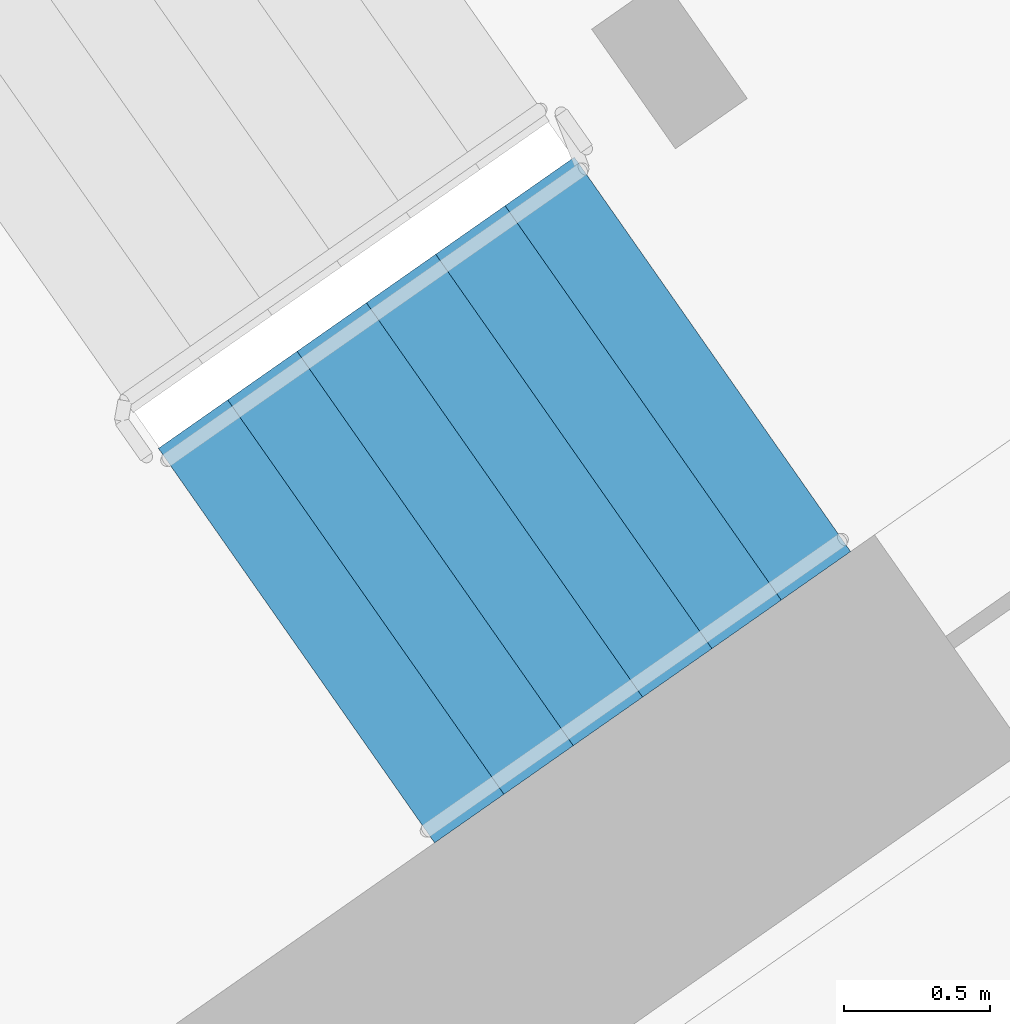
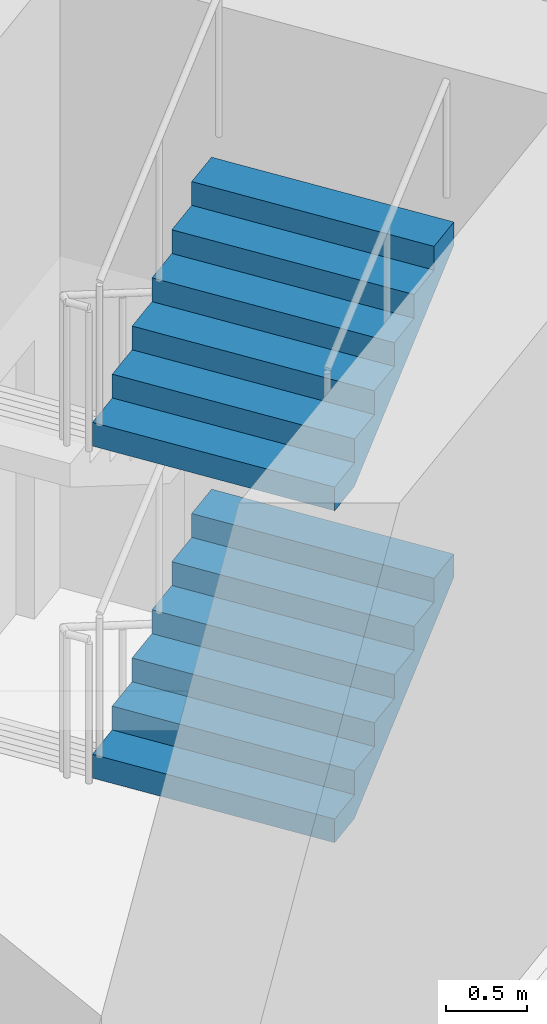
# One storey, part 19 of 25: 2 stair flights, 1 element without a shape of its own.
"""IFC4 building model written with IfcOpenShell, lengths in metres."""

from ifc_helpers import new_model, si_unit, direction, frame, origin, place, context, subcontext, project, spatial, faceted_brep, material, type_object, element, aggregate, save


model = new_model("IFC4")

# Units and contexts
model_context = context("Model", 3, precision=1e-05, world=origin(), true_north=direction((0.0, 1.0)))
body_context = subcontext(model_context, "Body", "Model", "MODEL_VIEW")
ifc_project = project(units=[si_unit("LENGTHUNIT", "METRE"), si_unit("AREAUNIT", "SQUARE_METRE"), si_unit("VOLUMEUNIT", "CUBIC_METRE"), si_unit("PLANEANGLEUNIT", "RADIAN"), si_unit("MASSUNIT", "GRAM", prefix="KILO")], contexts=[model_context])

# Site, building, storey
site_placement = place(None, origin())
site = spatial("IfcSite", under=ifc_project, at=site_placement, CompositionType="ELEMENT")
building_placement = place(site_placement, origin())
building = spatial("IfcBuilding", under=site, at=building_placement, Name="Qamariyya Broadcast Tower", CompositionType="ELEMENT")
storey_placement = place(building_placement, frame((0.0, 0.0, 144.300048828125)))
storey = spatial("IfcBuildingStorey", under=building, at=storey_placement, Name="L33", CompositionType="ELEMENT", Elevation=144.300048828125)

# Stair, stair flights
ifc_material = material(Name="Concrete C50/60", Category="concrete")
stair_type = type_object("IfcStairType", Name="Exit stair 28 risers of 179 mm", PredefinedType="HALF_TURN_STAIR", material=ifc_material)
stair_placement = place(storey_placement, origin())
stair = element("IfcStair", 1, at=stair_placement, inside=storey, type_object=stair_type, Name="L33 Stair E1", PredefinedType="HALF_TURN_STAIR")
stair_flight_type = type_object("IfcStairFlightType", Name="Exit stair flight 7 risers of 179 mm", PredefinedType="STRAIGHT", material=ifc_material)
stair_flight_1_placement = place(storey_placement, frame((45.6435546875, -57.980712890625, 1.25), z_axis=(0.0, 0.0, 1.0), x_axis=(0.819152044289, 0.573576436351, 0.0)))
stair_flight_1 = element("IfcStairFlight", 2, at=stair_flight_1_placement, type_object=stair_flight_type, Name="ST-E1 flight 2", NumberOfRisers=7, NumberOfTreads=6, PredefinedType="STRAIGHT", RiserHeight=0.178571429, TreadLength=0.29, context=body_context, shape_type="Brep", body=[
    faceted_brep([(0.0, 0.824951171875, 0.0), (0.0, 0.824951171875, 0.178466796875), (0.2900390625, 0.824951171875, 0.178466796875), (0.2900390625, 0.824951171875, 0.357177734375), (0.580078125, 0.824951171875, 0.357177734375), (0.580078125, 0.824951171875, 0.53564453125), (0.8701171875, 0.824951171875, 0.53564453125), (0.8701171875, 0.824951171875, 0.71435546875), (1.159912109375, 0.824951171875, 0.71435546875), (1.159912109375, 0.824951171875, 0.892822265625), (1.449951171875, 0.824951171875, 0.892822265625), (1.449951171875, 0.824951171875, 1.071533203125), (1.739990234375, 0.824951171875, 1.071533203125), (1.739990234375, 0.824951171875, 0.8955078125), (0.285888671875, 0.824951171875, 0.0), (0.285888671875, -0.824951171875, 0.0), (1.739990234375, -0.824951171875, 0.8955078125), (1.739990234375, -0.824951171875, 1.071533203125), (1.449951171875, -0.824951171875, 1.071533203125), (1.449951171875, -0.824951171875, 0.892822265625), (1.159912109375, -0.824951171875, 0.892822265625), (1.159912109375, -0.824951171875, 0.71435546875), (0.8701171875, -0.824951171875, 0.71435546875), (0.8701171875, -0.824951171875, 0.53564453125), (0.580078125, -0.824951171875, 0.53564453125), (0.580078125, -0.824951171875, 0.357177734375), (0.2900390625, -0.824951171875, 0.357177734375), (0.2900390625, -0.824951171875, 0.178466796875), (0.0, -0.824951171875, 0.178466796875), (0.0, -0.824951171875, 0.0), (0.0, 0.10009765625, 0.0), (0.0, 0.086669921875, 0.0), (0.0, 0.0732421875, 0.0), (0.0, 0.06005859375, 0.0), (0.0, 0.046630859375, 0.0), (0.0, 0.033447265625, 0.0), (0.0, 0.02001953125, 0.0), (0.0, 0.006591796875, 0.0), (0.0, -0.006591796875, 0.0), (0.0, -0.02001953125, 0.0), (0.0, -0.033447265625, 0.0), (0.0, -0.046630859375, 0.0), (0.0, -0.06005859375, 0.0), (0.0, -0.0732421875, 0.0), (0.0, -0.086669921875, 0.0), (0.0, -0.10009765625, 0.0), (0.0, -0.10009765625, 0.178466796875), (0.0, -0.086669921875, 0.178466796875), (0.0, -0.0732421875, 0.178466796875), (0.0, -0.06005859375, 0.178466796875), (0.0, -0.046630859375, 0.178466796875), (0.0, -0.033447265625, 0.178466796875), (0.0, -0.02001953125, 0.178466796875), (0.0, -0.006591796875, 0.178466796875), (0.0, 0.006591796875, 0.178466796875), (0.0, 0.02001953125, 0.178466796875), (0.0, 0.033447265625, 0.178466796875), (0.0, 0.046630859375, 0.178466796875), (0.0, 0.06005859375, 0.178466796875), (0.0, 0.0732421875, 0.178466796875), (0.0, 0.086669921875, 0.178466796875), (0.0, 0.10009765625, 0.178466796875), (0.2900390625, -0.10009765625, 0.178466796875), (0.2900390625, -0.086669921875, 0.178466796875), (0.2900390625, -0.0732421875, 0.178466796875), (0.2900390625, -0.06005859375, 0.178466796875), (0.2900390625, -0.046630859375, 0.178466796875), (0.2900390625, -0.033447265625, 0.178466796875), (0.2900390625, -0.02001953125, 0.178466796875), (0.2900390625, -0.006591796875, 0.178466796875), (0.2900390625, 0.006591796875, 0.178466796875), (0.2900390625, 0.02001953125, 0.178466796875), (0.2900390625, 0.033447265625, 0.178466796875), (0.2900390625, 0.046630859375, 0.178466796875), (0.2900390625, 0.06005859375, 0.178466796875), (0.2900390625, 0.0732421875, 0.178466796875), (0.2900390625, 0.086669921875, 0.178466796875), (0.2900390625, 0.10009765625, 0.178466796875), (0.2900390625, -0.10009765625, 0.357177734375), (0.2900390625, -0.086669921875, 0.357177734375), (0.2900390625, -0.0732421875, 0.357177734375), (0.2900390625, -0.06005859375, 0.357177734375), (0.2900390625, -0.046630859375, 0.357177734375), (0.2900390625, -0.033447265625, 0.357177734375), (0.2900390625, -0.02001953125, 0.357177734375), (0.2900390625, -0.006591796875, 0.357177734375), (0.2900390625, 0.006591796875, 0.357177734375), (0.2900390625, 0.02001953125, 0.357177734375), (0.2900390625, 0.033447265625, 0.357177734375), (0.2900390625, 0.046630859375, 0.357177734375), (0.2900390625, 0.06005859375, 0.357177734375), (0.2900390625, 0.0732421875, 0.357177734375), (0.2900390625, 0.086669921875, 0.357177734375), (0.2900390625, 0.10009765625, 0.357177734375), (0.580078125, -0.10009765625, 0.357177734375), (0.580078125, -0.086669921875, 0.357177734375), (0.580078125, -0.0732421875, 0.357177734375), (0.580078125, -0.06005859375, 0.357177734375), (0.580078125, -0.046630859375, 0.357177734375), (0.580078125, -0.033447265625, 0.357177734375), (0.580078125, -0.02001953125, 0.357177734375), (0.580078125, -0.006591796875, 0.357177734375), (0.580078125, 0.006591796875, 0.357177734375), (0.580078125, 0.02001953125, 0.357177734375), (0.580078125, 0.033447265625, 0.357177734375), (0.580078125, 0.046630859375, 0.357177734375), (0.580078125, 0.06005859375, 0.357177734375), (0.580078125, 0.0732421875, 0.357177734375), (0.580078125, 0.086669921875, 0.357177734375), (0.580078125, 0.10009765625, 0.357177734375), (0.580078125, -0.10009765625, 0.53564453125), (0.580078125, -0.086669921875, 0.53564453125), (0.580078125, -0.0732421875, 0.53564453125), (0.580078125, -0.06005859375, 0.53564453125), (0.580078125, -0.046630859375, 0.53564453125), (0.580078125, -0.033447265625, 0.53564453125), (0.580078125, -0.02001953125, 0.53564453125), (0.580078125, -0.006591796875, 0.53564453125), (0.580078125, 0.006591796875, 0.53564453125), (0.580078125, 0.02001953125, 0.53564453125), (0.580078125, 0.033447265625, 0.53564453125), (0.580078125, 0.046630859375, 0.53564453125), (0.580078125, 0.06005859375, 0.53564453125), (0.580078125, 0.0732421875, 0.53564453125), (0.580078125, 0.086669921875, 0.53564453125), (0.580078125, 0.10009765625, 0.53564453125), (0.8701171875, -0.10009765625, 0.53564453125), (0.8701171875, -0.086669921875, 0.53564453125), (0.8701171875, -0.0732421875, 0.53564453125), (0.8701171875, -0.06005859375, 0.53564453125), (0.8701171875, -0.046630859375, 0.53564453125), (0.8701171875, -0.033447265625, 0.53564453125), (0.8701171875, -0.02001953125, 0.53564453125), (0.8701171875, -0.006591796875, 0.53564453125), (0.8701171875, 0.006591796875, 0.53564453125), (0.8701171875, 0.02001953125, 0.53564453125), (0.8701171875, 0.033447265625, 0.53564453125), (0.8701171875, 0.046630859375, 0.53564453125), (0.8701171875, 0.06005859375, 0.53564453125), (0.8701171875, 0.0732421875, 0.53564453125), (0.8701171875, 0.086669921875, 0.53564453125), (0.8701171875, 0.10009765625, 0.53564453125), (0.8701171875, -0.10009765625, 0.71435546875), (0.8701171875, -0.086669921875, 0.71435546875), (0.8701171875, -0.0732421875, 0.71435546875), (0.8701171875, -0.06005859375, 0.71435546875), (0.8701171875, -0.046630859375, 0.71435546875), (0.8701171875, -0.033447265625, 0.71435546875), (0.8701171875, -0.02001953125, 0.71435546875), (0.8701171875, -0.006591796875, 0.71435546875), (0.8701171875, 0.006591796875, 0.71435546875), (0.8701171875, 0.02001953125, 0.71435546875), (0.8701171875, 0.033447265625, 0.71435546875), (0.8701171875, 0.046630859375, 0.71435546875), (0.8701171875, 0.06005859375, 0.71435546875), (0.8701171875, 0.0732421875, 0.71435546875), (0.8701171875, 0.086669921875, 0.71435546875), (0.8701171875, 0.10009765625, 0.71435546875), (1.159912109375, -0.10009765625, 0.71435546875), (1.159912109375, -0.086669921875, 0.71435546875), (1.159912109375, -0.0732421875, 0.71435546875), (1.159912109375, -0.06005859375, 0.71435546875), (1.159912109375, -0.046630859375, 0.71435546875), (1.159912109375, -0.033447265625, 0.71435546875), (1.159912109375, -0.02001953125, 0.71435546875), (1.159912109375, -0.006591796875, 0.71435546875), (1.159912109375, 0.006591796875, 0.71435546875), (1.159912109375, 0.02001953125, 0.71435546875), (1.159912109375, 0.033447265625, 0.71435546875), (1.159912109375, 0.046630859375, 0.71435546875), (1.159912109375, 0.06005859375, 0.71435546875), (1.159912109375, 0.0732421875, 0.71435546875), (1.159912109375, 0.086669921875, 0.71435546875), (1.159912109375, 0.10009765625, 0.71435546875), (1.159912109375, -0.10009765625, 0.892822265625), (1.159912109375, -0.086669921875, 0.892822265625), (1.159912109375, -0.0732421875, 0.892822265625), (1.159912109375, -0.06005859375, 0.892822265625), (1.159912109375, -0.046630859375, 0.892822265625), (1.159912109375, -0.033447265625, 0.892822265625), (1.159912109375, -0.02001953125, 0.892822265625), (1.159912109375, -0.006591796875, 0.892822265625), (1.159912109375, 0.006591796875, 0.892822265625), (1.159912109375, 0.02001953125, 0.892822265625), (1.159912109375, 0.033447265625, 0.892822265625), (1.159912109375, 0.046630859375, 0.892822265625), (1.159912109375, 0.06005859375, 0.892822265625), (1.159912109375, 0.0732421875, 0.892822265625), (1.159912109375, 0.086669921875, 0.892822265625), (1.159912109375, 0.10009765625, 0.892822265625), (1.449951171875, -0.10009765625, 0.892822265625), (1.449951171875, -0.086669921875, 0.892822265625), (1.449951171875, -0.0732421875, 0.892822265625), (1.449951171875, -0.06005859375, 0.892822265625), (1.449951171875, -0.046630859375, 0.892822265625), (1.449951171875, -0.033447265625, 0.892822265625), (1.449951171875, -0.02001953125, 0.892822265625), (1.449951171875, -0.006591796875, 0.892822265625), (1.449951171875, 0.006591796875, 0.892822265625), (1.449951171875, 0.02001953125, 0.892822265625), (1.449951171875, 0.033447265625, 0.892822265625), (1.449951171875, 0.046630859375, 0.892822265625), (1.449951171875, 0.06005859375, 0.892822265625), (1.449951171875, 0.0732421875, 0.892822265625), (1.449951171875, 0.086669921875, 0.892822265625), (1.449951171875, 0.10009765625, 0.892822265625), (1.449951171875, -0.10009765625, 1.071533203125), (1.449951171875, -0.086669921875, 1.071533203125), (1.449951171875, -0.0732421875, 1.071533203125), (1.449951171875, -0.06005859375, 1.071533203125), (1.449951171875, -0.046630859375, 1.071533203125), (1.449951171875, -0.033447265625, 1.071533203125), (1.449951171875, -0.02001953125, 1.071533203125), (1.449951171875, -0.006591796875, 1.071533203125), (1.449951171875, 0.006591796875, 1.071533203125), (1.449951171875, 0.02001953125, 1.071533203125), (1.449951171875, 0.033447265625, 1.071533203125), (1.449951171875, 0.046630859375, 1.071533203125), (1.449951171875, 0.06005859375, 1.071533203125), (1.449951171875, 0.0732421875, 1.071533203125), (1.449951171875, 0.086669921875, 1.071533203125), (1.449951171875, 0.10009765625, 1.071533203125), (1.739990234375, -0.10009765625, 1.071533203125), (1.739990234375, -0.086669921875, 1.071533203125), (1.739990234375, -0.0732421875, 1.071533203125), (1.739990234375, -0.06005859375, 1.071533203125), (1.739990234375, -0.046630859375, 1.071533203125), (1.739990234375, -0.033447265625, 1.071533203125), (1.739990234375, -0.02001953125, 1.071533203125), (1.739990234375, -0.006591796875, 1.071533203125), (1.739990234375, 0.006591796875, 1.071533203125), (1.739990234375, 0.02001953125, 1.071533203125), (1.739990234375, 0.033447265625, 1.071533203125), (1.739990234375, 0.046630859375, 1.071533203125), (1.739990234375, 0.06005859375, 1.071533203125), (1.739990234375, 0.0732421875, 1.071533203125), (1.739990234375, 0.086669921875, 1.071533203125), (1.739990234375, 0.10009765625, 1.071533203125), (1.739990234375, -0.10009765625, 0.8955078125), (1.739990234375, -0.086669921875, 0.8955078125), (1.739990234375, -0.0732421875, 0.8955078125), (1.739990234375, -0.06005859375, 0.8955078125), (1.739990234375, -0.046630859375, 0.8955078125), (1.739990234375, -0.033447265625, 0.8955078125), (1.739990234375, -0.02001953125, 0.8955078125), (1.739990234375, -0.006591796875, 0.8955078125), (1.739990234375, 0.006591796875, 0.8955078125), (1.739990234375, 0.02001953125, 0.8955078125), (1.739990234375, 0.033447265625, 0.8955078125), (1.739990234375, 0.046630859375, 0.8955078125), (1.739990234375, 0.06005859375, 0.8955078125), (1.739990234375, 0.0732421875, 0.8955078125), (1.739990234375, 0.086669921875, 0.8955078125), (1.739990234375, 0.10009765625, 0.8955078125), (0.285888671875, -0.10009765625, 0.0), (0.285888671875, -0.086669921875, 0.0), (0.285888671875, -0.0732421875, 0.0), (0.285888671875, -0.06005859375, 0.0), (0.285888671875, -0.046630859375, 0.0), (0.285888671875, -0.033447265625, 0.0), (0.285888671875, -0.02001953125, 0.0), (0.285888671875, -0.006591796875, 0.0), (0.285888671875, 0.006591796875, 0.0), (0.285888671875, 0.02001953125, 0.0), (0.285888671875, 0.033447265625, 0.0), (0.285888671875, 0.046630859375, 0.0), (0.285888671875, 0.06005859375, 0.0), (0.285888671875, 0.0732421875, 0.0), (0.285888671875, 0.086669921875, 0.0), (0.285888671875, 0.10009765625, 0.0)], [[[0, 1, 2, 3, 4, 5, 6, 7, 8, 9, 10, 11, 12, 13, 14]], [[15, 16, 17, 18, 19, 20, 21, 22, 23, 24, 25, 26, 27, 28, 29]], [[0, 30, 31, 32, 33, 34, 35, 36, 37, 38, 39, 40, 41, 42, 43, 44, 45, 29, 28, 46, 47, 48, 49, 50, 51, 52, 53, 54, 55, 56, 57, 58, 59, 60, 61, 1]], [[1, 61, 60, 59, 58, 57, 56, 55, 54, 53, 52, 51, 50, 49, 48, 47, 46, 28, 27, 62, 63, 64, 65, 66, 67, 68, 69, 70, 71, 72, 73, 74, 75, 76, 77, 2]], [[2, 77, 76, 75, 74, 73, 72, 71, 70, 69, 68, 67, 66, 65, 64, 63, 62, 27, 26, 78, 79, 80, 81, 82, 83, 84, 85, 86, 87, 88, 89, 90, 91, 92, 93, 3]], [[3, 93, 92, 91, 90, 89, 88, 87, 86, 85, 84, 83, 82, 81, 80, 79, 78, 26, 25, 94, 95, 96, 97, 98, 99, 100, 101, 102, 103, 104, 105, 106, 107, 108, 109, 4]], [[4, 109, 108, 107, 106, 105, 104, 103, 102, 101, 100, 99, 98, 97, 96, 95, 94, 25, 24, 110, 111, 112, 113, 114, 115, 116, 117, 118, 119, 120, 121, 122, 123, 124, 125, 5]], [[5, 125, 124, 123, 122, 121, 120, 119, 118, 117, 116, 115, 114, 113, 112, 111, 110, 24, 23, 126, 127, 128, 129, 130, 131, 132, 133, 134, 135, 136, 137, 138, 139, 140, 141, 6]], [[6, 141, 140, 139, 138, 137, 136, 135, 134, 133, 132, 131, 130, 129, 128, 127, 126, 23, 22, 142, 143, 144, 145, 146, 147, 148, 149, 150, 151, 152, 153, 154, 155, 156, 157, 7]], [[7, 157, 156, 155, 154, 153, 152, 151, 150, 149, 148, 147, 146, 145, 144, 143, 142, 22, 21, 158, 159, 160, 161, 162, 163, 164, 165, 166, 167, 168, 169, 170, 171, 172, 173, 8]], [[8, 173, 172, 171, 170, 169, 168, 167, 166, 165, 164, 163, 162, 161, 160, 159, 158, 21, 20, 174, 175, 176, 177, 178, 179, 180, 181, 182, 183, 184, 185, 186, 187, 188, 189, 9]], [[9, 189, 188, 187, 186, 185, 184, 183, 182, 181, 180, 179, 178, 177, 176, 175, 174, 20, 19, 190, 191, 192, 193, 194, 195, 196, 197, 198, 199, 200, 201, 202, 203, 204, 205, 10]], [[10, 205, 204, 203, 202, 201, 200, 199, 198, 197, 196, 195, 194, 193, 192, 191, 190, 19, 18, 206, 207, 208, 209, 210, 211, 212, 213, 214, 215, 216, 217, 218, 219, 220, 221, 11]], [[11, 221, 220, 219, 218, 217, 216, 215, 214, 213, 212, 211, 210, 209, 208, 207, 206, 18, 17, 222, 223, 224, 225, 226, 227, 228, 229, 230, 231, 232, 233, 234, 235, 236, 237, 12]], [[12, 237, 236, 235, 234, 233, 232, 231, 230, 229, 228, 227, 226, 225, 224, 223, 222, 17, 16, 238, 239, 240, 241, 242, 243, 244, 245, 246, 247, 248, 249, 250, 251, 252, 253, 13]], [[13, 253, 252, 251, 250, 249, 248, 247, 246, 245, 244, 243, 242, 241, 240, 239, 238, 16, 15, 254, 255, 256, 257, 258, 259, 260, 261, 262, 263, 264, 265, 266, 267, 268, 269, 14]], [[14, 269, 268, 267, 266, 265, 264, 263, 262, 261, 260, 259, 258, 257, 256, 255, 254, 15, 29, 45, 44, 43, 42, 41, 40, 39, 38, 37, 36, 35, 34, 33, 32, 31, 30, 0]]]),
])
stair_flight_2_placement = place(storey_placement, frame((45.6435546875, -57.980712890625, 3.75), z_axis=(0.0, 0.0, 1.0), x_axis=(0.819152044289, 0.573576436351, 0.0)))
stair_flight_2 = element("IfcStairFlight", 3, at=stair_flight_2_placement, type_object=stair_flight_type, Name="ST-E1 flight 4", NumberOfRisers=7, NumberOfTreads=6, PredefinedType="STRAIGHT", RiserHeight=0.178571429, TreadLength=0.29, context=body_context, shape_type="Brep", body=[
    faceted_brep([(0.0, 0.824951171875, 0.0), (0.0, 0.824951171875, 0.178466796875), (0.2900390625, 0.824951171875, 0.178466796875), (0.2900390625, 0.824951171875, 0.357177734375), (0.580078125, 0.824951171875, 0.357177734375), (0.580078125, 0.824951171875, 0.53564453125), (0.8701171875, 0.824951171875, 0.53564453125), (0.8701171875, 0.824951171875, 0.71435546875), (1.159912109375, 0.824951171875, 0.71435546875), (1.159912109375, 0.824951171875, 0.892822265625), (1.449951171875, 0.824951171875, 0.892822265625), (1.449951171875, 0.824951171875, 1.071533203125), (1.739990234375, 0.824951171875, 1.071533203125), (1.739990234375, 0.824951171875, 0.8955078125), (0.285888671875, 0.824951171875, 0.0), (0.285888671875, -0.824951171875, 0.0), (1.739990234375, -0.824951171875, 0.8955078125), (1.739990234375, -0.824951171875, 1.071533203125), (1.449951171875, -0.824951171875, 1.071533203125), (1.449951171875, -0.824951171875, 0.892822265625), (1.159912109375, -0.824951171875, 0.892822265625), (1.159912109375, -0.824951171875, 0.71435546875), (0.8701171875, -0.824951171875, 0.71435546875), (0.8701171875, -0.824951171875, 0.53564453125), (0.580078125, -0.824951171875, 0.53564453125), (0.580078125, -0.824951171875, 0.357177734375), (0.2900390625, -0.824951171875, 0.357177734375), (0.2900390625, -0.824951171875, 0.178466796875), (0.0, -0.824951171875, 0.178466796875), (0.0, -0.824951171875, 0.0), (0.0, 0.10009765625, 0.0), (0.0, 0.086669921875, 0.0), (0.0, 0.0732421875, 0.0), (0.0, 0.06005859375, 0.0), (0.0, 0.046630859375, 0.0), (0.0, 0.033447265625, 0.0), (0.0, 0.02001953125, 0.0), (0.0, 0.006591796875, 0.0), (0.0, -0.006591796875, 0.0), (0.0, -0.02001953125, 0.0), (0.0, -0.033447265625, 0.0), (0.0, -0.046630859375, 0.0), (0.0, -0.06005859375, 0.0), (0.0, -0.0732421875, 0.0), (0.0, -0.086669921875, 0.0), (0.0, -0.10009765625, 0.0), (0.0, -0.10009765625, 0.178466796875), (0.0, -0.086669921875, 0.178466796875), (0.0, -0.0732421875, 0.178466796875), (0.0, -0.06005859375, 0.178466796875), (0.0, -0.046630859375, 0.178466796875), (0.0, -0.033447265625, 0.178466796875), (0.0, -0.02001953125, 0.178466796875), (0.0, -0.006591796875, 0.178466796875), (0.0, 0.006591796875, 0.178466796875), (0.0, 0.02001953125, 0.178466796875), (0.0, 0.033447265625, 0.178466796875), (0.0, 0.046630859375, 0.178466796875), (0.0, 0.06005859375, 0.178466796875), (0.0, 0.0732421875, 0.178466796875), (0.0, 0.086669921875, 0.178466796875), (0.0, 0.10009765625, 0.178466796875), (0.2900390625, -0.10009765625, 0.178466796875), (0.2900390625, -0.086669921875, 0.178466796875), (0.2900390625, -0.0732421875, 0.178466796875), (0.2900390625, -0.06005859375, 0.178466796875), (0.2900390625, -0.046630859375, 0.178466796875), (0.2900390625, -0.033447265625, 0.178466796875), (0.2900390625, -0.02001953125, 0.178466796875), (0.2900390625, -0.006591796875, 0.178466796875), (0.2900390625, 0.006591796875, 0.178466796875), (0.2900390625, 0.02001953125, 0.178466796875), (0.2900390625, 0.033447265625, 0.178466796875), (0.2900390625, 0.046630859375, 0.178466796875), (0.2900390625, 0.06005859375, 0.178466796875), (0.2900390625, 0.0732421875, 0.178466796875), (0.2900390625, 0.086669921875, 0.178466796875), (0.2900390625, 0.10009765625, 0.178466796875), (0.2900390625, -0.10009765625, 0.357177734375), (0.2900390625, -0.086669921875, 0.357177734375), (0.2900390625, -0.0732421875, 0.357177734375), (0.2900390625, -0.06005859375, 0.357177734375), (0.2900390625, -0.046630859375, 0.357177734375), (0.2900390625, -0.033447265625, 0.357177734375), (0.2900390625, -0.02001953125, 0.357177734375), (0.2900390625, -0.006591796875, 0.357177734375), (0.2900390625, 0.006591796875, 0.357177734375), (0.2900390625, 0.02001953125, 0.357177734375), (0.2900390625, 0.033447265625, 0.357177734375), (0.2900390625, 0.046630859375, 0.357177734375), (0.2900390625, 0.06005859375, 0.357177734375), (0.2900390625, 0.0732421875, 0.357177734375), (0.2900390625, 0.086669921875, 0.357177734375), (0.2900390625, 0.10009765625, 0.357177734375), (0.580078125, -0.10009765625, 0.357177734375), (0.580078125, -0.086669921875, 0.357177734375), (0.580078125, -0.0732421875, 0.357177734375), (0.580078125, -0.06005859375, 0.357177734375), (0.580078125, -0.046630859375, 0.357177734375), (0.580078125, -0.033447265625, 0.357177734375), (0.580078125, -0.02001953125, 0.357177734375), (0.580078125, -0.006591796875, 0.357177734375), (0.580078125, 0.006591796875, 0.357177734375), (0.580078125, 0.02001953125, 0.357177734375), (0.580078125, 0.033447265625, 0.357177734375), (0.580078125, 0.046630859375, 0.357177734375), (0.580078125, 0.06005859375, 0.357177734375), (0.580078125, 0.0732421875, 0.357177734375), (0.580078125, 0.086669921875, 0.357177734375), (0.580078125, 0.10009765625, 0.357177734375), (0.580078125, -0.10009765625, 0.53564453125), (0.580078125, -0.086669921875, 0.53564453125), (0.580078125, -0.0732421875, 0.53564453125), (0.580078125, -0.06005859375, 0.53564453125), (0.580078125, -0.046630859375, 0.53564453125), (0.580078125, -0.033447265625, 0.53564453125), (0.580078125, -0.02001953125, 0.53564453125), (0.580078125, -0.006591796875, 0.53564453125), (0.580078125, 0.006591796875, 0.53564453125), (0.580078125, 0.02001953125, 0.53564453125), (0.580078125, 0.033447265625, 0.53564453125), (0.580078125, 0.046630859375, 0.53564453125), (0.580078125, 0.06005859375, 0.53564453125), (0.580078125, 0.0732421875, 0.53564453125), (0.580078125, 0.086669921875, 0.53564453125), (0.580078125, 0.10009765625, 0.53564453125), (0.8701171875, -0.10009765625, 0.53564453125), (0.8701171875, -0.086669921875, 0.53564453125), (0.8701171875, -0.0732421875, 0.53564453125), (0.8701171875, -0.06005859375, 0.53564453125), (0.8701171875, -0.046630859375, 0.53564453125), (0.8701171875, -0.033447265625, 0.53564453125), (0.8701171875, -0.02001953125, 0.53564453125), (0.8701171875, -0.006591796875, 0.53564453125), (0.8701171875, 0.006591796875, 0.53564453125), (0.8701171875, 0.02001953125, 0.53564453125), (0.8701171875, 0.033447265625, 0.53564453125), (0.8701171875, 0.046630859375, 0.53564453125), (0.8701171875, 0.06005859375, 0.53564453125), (0.8701171875, 0.0732421875, 0.53564453125), (0.8701171875, 0.086669921875, 0.53564453125), (0.8701171875, 0.10009765625, 0.53564453125), (0.8701171875, -0.10009765625, 0.71435546875), (0.8701171875, -0.086669921875, 0.71435546875), (0.8701171875, -0.0732421875, 0.71435546875), (0.8701171875, -0.06005859375, 0.71435546875), (0.8701171875, -0.046630859375, 0.71435546875), (0.8701171875, -0.033447265625, 0.71435546875), (0.8701171875, -0.02001953125, 0.71435546875), (0.8701171875, -0.006591796875, 0.71435546875), (0.8701171875, 0.006591796875, 0.71435546875), (0.8701171875, 0.02001953125, 0.71435546875), (0.8701171875, 0.033447265625, 0.71435546875), (0.8701171875, 0.046630859375, 0.71435546875), (0.8701171875, 0.06005859375, 0.71435546875), (0.8701171875, 0.0732421875, 0.71435546875), (0.8701171875, 0.086669921875, 0.71435546875), (0.8701171875, 0.10009765625, 0.71435546875), (1.159912109375, -0.10009765625, 0.71435546875), (1.159912109375, -0.086669921875, 0.71435546875), (1.159912109375, -0.0732421875, 0.71435546875), (1.159912109375, -0.06005859375, 0.71435546875), (1.159912109375, -0.046630859375, 0.71435546875), (1.159912109375, -0.033447265625, 0.71435546875), (1.159912109375, -0.02001953125, 0.71435546875), (1.159912109375, -0.006591796875, 0.71435546875), (1.159912109375, 0.006591796875, 0.71435546875), (1.159912109375, 0.02001953125, 0.71435546875), (1.159912109375, 0.033447265625, 0.71435546875), (1.159912109375, 0.046630859375, 0.71435546875), (1.159912109375, 0.06005859375, 0.71435546875), (1.159912109375, 0.0732421875, 0.71435546875), (1.159912109375, 0.086669921875, 0.71435546875), (1.159912109375, 0.10009765625, 0.71435546875), (1.159912109375, -0.10009765625, 0.892822265625), (1.159912109375, -0.086669921875, 0.892822265625), (1.159912109375, -0.0732421875, 0.892822265625), (1.159912109375, -0.06005859375, 0.892822265625), (1.159912109375, -0.046630859375, 0.892822265625), (1.159912109375, -0.033447265625, 0.892822265625), (1.159912109375, -0.02001953125, 0.892822265625), (1.159912109375, -0.006591796875, 0.892822265625), (1.159912109375, 0.006591796875, 0.892822265625), (1.159912109375, 0.02001953125, 0.892822265625), (1.159912109375, 0.033447265625, 0.892822265625), (1.159912109375, 0.046630859375, 0.892822265625), (1.159912109375, 0.06005859375, 0.892822265625), (1.159912109375, 0.0732421875, 0.892822265625), (1.159912109375, 0.086669921875, 0.892822265625), (1.159912109375, 0.10009765625, 0.892822265625), (1.449951171875, -0.10009765625, 0.892822265625), (1.449951171875, -0.086669921875, 0.892822265625), (1.449951171875, -0.0732421875, 0.892822265625), (1.449951171875, -0.06005859375, 0.892822265625), (1.449951171875, -0.046630859375, 0.892822265625), (1.449951171875, -0.033447265625, 0.892822265625), (1.449951171875, -0.02001953125, 0.892822265625), (1.449951171875, -0.006591796875, 0.892822265625), (1.449951171875, 0.006591796875, 0.892822265625), (1.449951171875, 0.02001953125, 0.892822265625), (1.449951171875, 0.033447265625, 0.892822265625), (1.449951171875, 0.046630859375, 0.892822265625), (1.449951171875, 0.06005859375, 0.892822265625), (1.449951171875, 0.0732421875, 0.892822265625), (1.449951171875, 0.086669921875, 0.892822265625), (1.449951171875, 0.10009765625, 0.892822265625), (1.449951171875, -0.10009765625, 1.071533203125), (1.449951171875, -0.086669921875, 1.071533203125), (1.449951171875, -0.0732421875, 1.071533203125), (1.449951171875, -0.06005859375, 1.071533203125), (1.449951171875, -0.046630859375, 1.071533203125), (1.449951171875, -0.033447265625, 1.071533203125), (1.449951171875, -0.02001953125, 1.071533203125), (1.449951171875, -0.006591796875, 1.071533203125), (1.449951171875, 0.006591796875, 1.071533203125), (1.449951171875, 0.02001953125, 1.071533203125), (1.449951171875, 0.033447265625, 1.071533203125), (1.449951171875, 0.046630859375, 1.071533203125), (1.449951171875, 0.06005859375, 1.071533203125), (1.449951171875, 0.0732421875, 1.071533203125), (1.449951171875, 0.086669921875, 1.071533203125), (1.449951171875, 0.10009765625, 1.071533203125), (1.739990234375, -0.10009765625, 1.071533203125), (1.739990234375, -0.086669921875, 1.071533203125), (1.739990234375, -0.0732421875, 1.071533203125), (1.739990234375, -0.06005859375, 1.071533203125), (1.739990234375, -0.046630859375, 1.071533203125), (1.739990234375, -0.033447265625, 1.071533203125), (1.739990234375, -0.02001953125, 1.071533203125), (1.739990234375, -0.006591796875, 1.071533203125), (1.739990234375, 0.006591796875, 1.071533203125), (1.739990234375, 0.02001953125, 1.071533203125), (1.739990234375, 0.033447265625, 1.071533203125), (1.739990234375, 0.046630859375, 1.071533203125), (1.739990234375, 0.06005859375, 1.071533203125), (1.739990234375, 0.0732421875, 1.071533203125), (1.739990234375, 0.086669921875, 1.071533203125), (1.739990234375, 0.10009765625, 1.071533203125), (1.739990234375, -0.10009765625, 0.8955078125), (1.739990234375, -0.086669921875, 0.8955078125), (1.739990234375, -0.0732421875, 0.8955078125), (1.739990234375, -0.06005859375, 0.8955078125), (1.739990234375, -0.046630859375, 0.8955078125), (1.739990234375, -0.033447265625, 0.8955078125), (1.739990234375, -0.02001953125, 0.8955078125), (1.739990234375, -0.006591796875, 0.8955078125), (1.739990234375, 0.006591796875, 0.8955078125), (1.739990234375, 0.02001953125, 0.8955078125), (1.739990234375, 0.033447265625, 0.8955078125), (1.739990234375, 0.046630859375, 0.8955078125), (1.739990234375, 0.06005859375, 0.8955078125), (1.739990234375, 0.0732421875, 0.8955078125), (1.739990234375, 0.086669921875, 0.8955078125), (1.739990234375, 0.10009765625, 0.8955078125), (0.285888671875, -0.10009765625, 0.0), (0.285888671875, -0.086669921875, 0.0), (0.285888671875, -0.0732421875, 0.0), (0.285888671875, -0.06005859375, 0.0), (0.285888671875, -0.046630859375, 0.0), (0.285888671875, -0.033447265625, 0.0), (0.285888671875, -0.02001953125, 0.0), (0.285888671875, -0.006591796875, 0.0), (0.285888671875, 0.006591796875, 0.0), (0.285888671875, 0.02001953125, 0.0), (0.285888671875, 0.033447265625, 0.0), (0.285888671875, 0.046630859375, 0.0), (0.285888671875, 0.06005859375, 0.0), (0.285888671875, 0.0732421875, 0.0), (0.285888671875, 0.086669921875, 0.0), (0.285888671875, 0.10009765625, 0.0)], [[[0, 1, 2, 3, 4, 5, 6, 7, 8, 9, 10, 11, 12, 13, 14]], [[15, 16, 17, 18, 19, 20, 21, 22, 23, 24, 25, 26, 27, 28, 29]], [[0, 30, 31, 32, 33, 34, 35, 36, 37, 38, 39, 40, 41, 42, 43, 44, 45, 29, 28, 46, 47, 48, 49, 50, 51, 52, 53, 54, 55, 56, 57, 58, 59, 60, 61, 1]], [[1, 61, 60, 59, 58, 57, 56, 55, 54, 53, 52, 51, 50, 49, 48, 47, 46, 28, 27, 62, 63, 64, 65, 66, 67, 68, 69, 70, 71, 72, 73, 74, 75, 76, 77, 2]], [[2, 77, 76, 75, 74, 73, 72, 71, 70, 69, 68, 67, 66, 65, 64, 63, 62, 27, 26, 78, 79, 80, 81, 82, 83, 84, 85, 86, 87, 88, 89, 90, 91, 92, 93, 3]], [[3, 93, 92, 91, 90, 89, 88, 87, 86, 85, 84, 83, 82, 81, 80, 79, 78, 26, 25, 94, 95, 96, 97, 98, 99, 100, 101, 102, 103, 104, 105, 106, 107, 108, 109, 4]], [[4, 109, 108, 107, 106, 105, 104, 103, 102, 101, 100, 99, 98, 97, 96, 95, 94, 25, 24, 110, 111, 112, 113, 114, 115, 116, 117, 118, 119, 120, 121, 122, 123, 124, 125, 5]], [[5, 125, 124, 123, 122, 121, 120, 119, 118, 117, 116, 115, 114, 113, 112, 111, 110, 24, 23, 126, 127, 128, 129, 130, 131, 132, 133, 134, 135, 136, 137, 138, 139, 140, 141, 6]], [[6, 141, 140, 139, 138, 137, 136, 135, 134, 133, 132, 131, 130, 129, 128, 127, 126, 23, 22, 142, 143, 144, 145, 146, 147, 148, 149, 150, 151, 152, 153, 154, 155, 156, 157, 7]], [[7, 157, 156, 155, 154, 153, 152, 151, 150, 149, 148, 147, 146, 145, 144, 143, 142, 22, 21, 158, 159, 160, 161, 162, 163, 164, 165, 166, 167, 168, 169, 170, 171, 172, 173, 8]], [[8, 173, 172, 171, 170, 169, 168, 167, 166, 165, 164, 163, 162, 161, 160, 159, 158, 21, 20, 174, 175, 176, 177, 178, 179, 180, 181, 182, 183, 184, 185, 186, 187, 188, 189, 9]], [[9, 189, 188, 187, 186, 185, 184, 183, 182, 181, 180, 179, 178, 177, 176, 175, 174, 20, 19, 190, 191, 192, 193, 194, 195, 196, 197, 198, 199, 200, 201, 202, 203, 204, 205, 10]], [[10, 205, 204, 203, 202, 201, 200, 199, 198, 197, 196, 195, 194, 193, 192, 191, 190, 19, 18, 206, 207, 208, 209, 210, 211, 212, 213, 214, 215, 216, 217, 218, 219, 220, 221, 11]], [[11, 221, 220, 219, 218, 217, 216, 215, 214, 213, 212, 211, 210, 209, 208, 207, 206, 18, 17, 222, 223, 224, 225, 226, 227, 228, 229, 230, 231, 232, 233, 234, 235, 236, 237, 12]], [[12, 237, 236, 235, 234, 233, 232, 231, 230, 229, 228, 227, 226, 225, 224, 223, 222, 17, 16, 238, 239, 240, 241, 242, 243, 244, 245, 246, 247, 248, 249, 250, 251, 252, 253, 13]], [[13, 253, 252, 251, 250, 249, 248, 247, 246, 245, 244, 243, 242, 241, 240, 239, 238, 16, 15, 254, 255, 256, 257, 258, 259, 260, 261, 262, 263, 264, 265, 266, 267, 268, 269, 14]], [[14, 269, 268, 267, 266, 265, 264, 263, 262, 261, 260, 259, 258, 257, 256, 255, 254, 15, 29, 45, 44, 43, 42, 41, 40, 39, 38, 37, 36, 35, 34, 33, 32, 31, 30, 0]]]),
])
aggregate(stair, [stair_flight_1, stair_flight_2])

save(model, "model.ifc")
